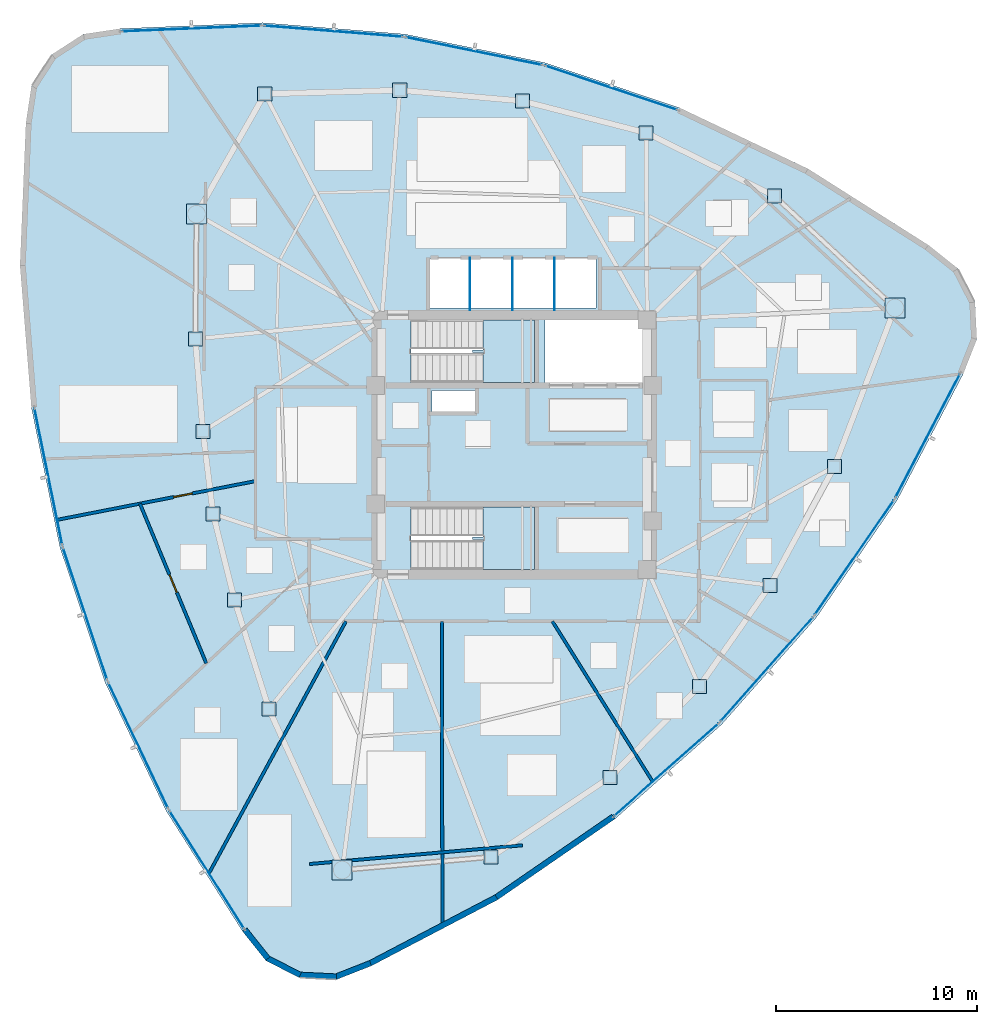
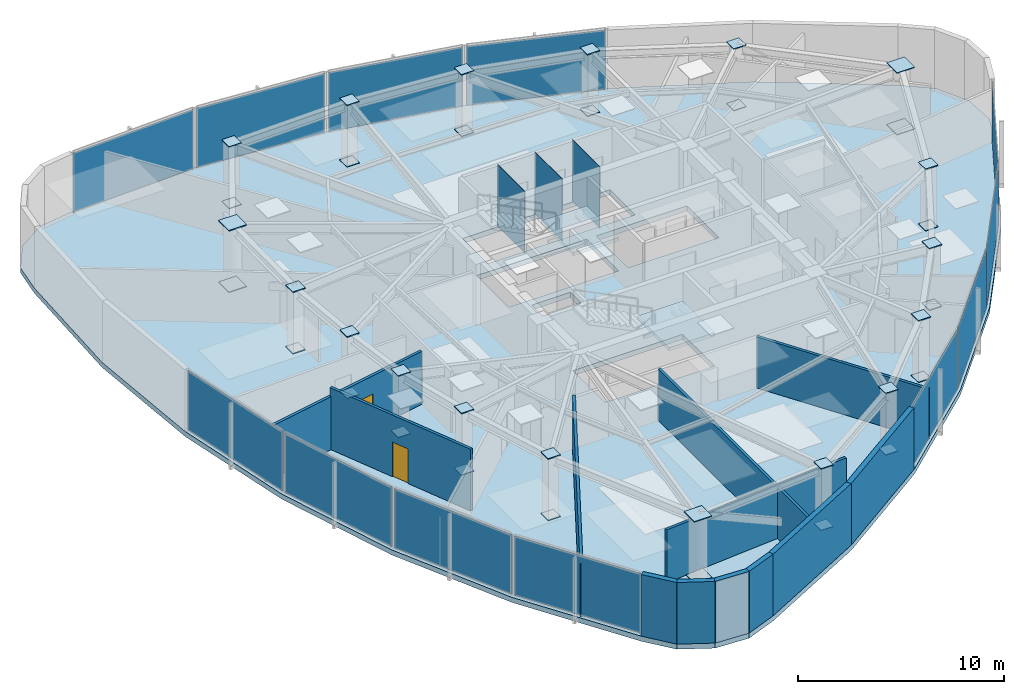
# One storey, part 9 of 15: 51 plates, 12 walls, 3 slabs, 2 doors, 2 openings, 14 elements without a shape of their own.
"""IFC4 building model written with IfcOpenShell, lengths in metres."""

from ifc_helpers import new_model, si_unit, direction, frame, frame_2d, origin, origin_2d, place, context, subcontext, project, spatial, polyline, rectangle, outline, extrude, source, transform, mapped, material, layer, layer_set, type_object, type_shapes, element, fill, aggregate, save


model = new_model("IFC4")

# Units and contexts
model_context = context("Model", 3, precision=1e-05, world=origin(), true_north=direction((0.0, 1.0)))
body_context = subcontext(model_context, "Body", "Model", "MODEL_VIEW")
ifc_project = project(units=[si_unit("LENGTHUNIT", "METRE"), si_unit("AREAUNIT", "SQUARE_METRE"), si_unit("VOLUMEUNIT", "CUBIC_METRE"), si_unit("PLANEANGLEUNIT", "RADIAN"), si_unit("MASSUNIT", "GRAM", prefix="KILO")], contexts=[model_context])

# Site, building, storey
site_placement = place(None, origin())
site = spatial("IfcSite", under=ifc_project, at=site_placement, CompositionType="ELEMENT")
building_placement = place(site_placement, origin())
building = spatial("IfcBuilding", under=site, at=building_placement, Name="Tavelor Broadcast Tower", CompositionType="ELEMENT")
storey_placement = place(building_placement, frame((0.0, 0.0, 230.050048828125)))
storey = spatial("IfcBuildingStorey", under=building, at=storey_placement, Name="L54", CompositionType="ELEMENT", Elevation=230.050048828125)

# Stair, slab
ifc_material_1 = material(Name="Concrete C40/50", Category="concrete")
stair_type = type_object("IfcStairType", Name="Reinforced Concrete Protected Dogleg Stair 1450 mm", PredefinedType="HALF_TURN_STAIR", material=ifc_material_1)
stair_1_placement = place(storey_placement, origin())
stair_1 = element("IfcStair", 1, at=stair_1_placement, inside=storey, type_object=stair_type, Name="L54 Protected Core Exit Stair ST1", PredefinedType="HALF_TURN_STAIR")
ifc_layer_1 = layer(ifc_material_1, 0.199951171875)
ifc_layer_set_1 = layer_set([ifc_layer_1], Name="Concrete C40/50")
slab_type_1 = type_object("IfcSlabType", Name="Reinforced Concrete Stair Half-Landing Slab 200 mm", PredefinedType="LANDING", material=ifc_layer_set_1)
slab_1_placement = place(storey_placement, frame((0.0, 0.0, 1.77490234375)))
slab_1 = element("IfcSlab", 2, at=slab_1_placement, type_object=slab_type_1, Name="ST1 landing 1", PredefinedType="LANDING", context=body_context, shape_type="SweptSolid", body=[
    extrude(outline(polyline([(48.445068359375, 49.590087890625), (48.445068359375, 48.094970703125), (51.0048828125, 48.094970703125), (51.0048828125, 51.205078125), (48.445068359375, 51.205078125), (48.445068359375, 49.7099609375), (47.905029296875, 49.7099609375), (47.905029296875, 49.590087890625), (48.445068359375, 49.590087890625)])), origin(), (0.0, 0.0, 1.0), 0.199951171875),
])
aggregate(stair_1, [slab_1])

stair_2_placement = place(storey_placement, origin())
stair_2 = element("IfcStair", 3, at=stair_2_placement, inside=storey, type_object=stair_type, Name="L54 Protected Core Exit Stair ST2", PredefinedType="HALF_TURN_STAIR")
slab_2_placement = place(storey_placement, frame((0.0, 0.0, 1.77490234375)))
slab_2 = element("IfcSlab", 4, at=slab_2_placement, type_object=slab_type_1, Name="ST2 landing 1", PredefinedType="LANDING", context=body_context, shape_type="SweptSolid", body=[
    extrude(outline(polyline([(48.445068359375, 40.2900390625), (48.445068359375, 38.794921875), (51.0048828125, 38.794921875), (51.0048828125, 41.905029296875), (48.445068359375, 41.905029296875), (48.445068359375, 40.409912109375), (47.905029296875, 40.409912109375), (47.905029296875, 40.2900390625), (48.445068359375, 40.2900390625)])), origin(), (0.0, 0.0, 1.0), 0.199951171875),
])
aggregate(stair_2, [slab_2])

# Slab
ifc_layer_2 = layer(ifc_material_1, 0.300048828125)
ifc_layer_set_2 = layer_set([ifc_layer_2], Name="Concrete C40/50")
slab_type_2 = type_object("IfcSlabType", Name="Tower Composite Floor Slab 300 mm", PredefinedType="FLOOR", material=ifc_layer_set_2)
slab_3_placement = place(storey_placement, frame((0.0, 0.0, -0.300048828125)))
element("IfcSlab", 5, at=slab_3_placement, inside=storey, type_object=slab_type_2, Name="L54 Structural Floor Slab", PredefinedType="FLOOR", context=body_context, shape_type="SweptSolid", body=[
    extrude(outline(polyline([(30.40673828125, 65.68408203125), (28.566162109375, 65.4072265625), (27.00244140625, 64.397705078125), (25.992919921875, 62.833740234375), (25.716064453125, 60.9931640625), (25.422119140625, 53.914306640625), (25.9873046875, 46.851806640625), (27.40283203125, 39.90966796875), (29.64794921875, 33.18994140625), (32.68994140625, 26.791015625), (36.483642578125, 20.8076171875), (37.643798828125, 19.351806640625), (39.300048828125, 18.50244140625), (41.1591796875, 18.409912109375), (42.8916015625, 19.090576171875), (49.1689453125, 22.37548828125), (55.002685546875, 26.39599609375), (60.306884765625, 31.093017578125), (65.00390625, 36.3974609375), (69.0244140625, 42.231201171875), (72.309326171875, 48.508544921875), (72.989990234375, 50.240966796875), (72.897705078125, 52.10009765625), (72.048095703125, 53.75634765625), (70.592529296875, 54.916259765625), (64.60888671875, 58.710205078125), (58.210205078125, 61.751953125), (51.490234375, 63.997314453125), (44.548095703125, 65.41259765625), (37.485595703125, 65.977783203125), (30.40673828125, 65.68408203125)]), holes=[polyline([(50.99609375, 41.89599609375), (50.99609375, 38.803955078125), (44.85400390625, 38.803955078125), (44.85400390625, 41.89599609375), (50.99609375, 41.89599609375)]), polyline([(48.050048828125, 47.699951171875), (48.050048828125, 46.64990234375), (45.89990234375, 46.64990234375), (45.89990234375, 47.699951171875), (48.050048828125, 47.699951171875)]), polyline([(50.99609375, 51.196044921875), (50.99609375, 48.10400390625), (44.85400390625, 48.10400390625), (44.85400390625, 51.196044921875), (50.99609375, 51.196044921875)]), polyline([(56.60009765625, 48.10009765625), (51.52001953125, 48.10009765625), (51.52001953125, 51.199951171875), (56.60009765625, 51.199951171875), (56.60009765625, 48.10009765625)]), polyline([(54.050048828125, 51.800048828125), (45.800048828125, 51.800048828125), (45.800048828125, 54.25), (54.050048828125, 54.25), (54.050048828125, 51.800048828125)])]), origin(), (0.0, 0.0, 1.0), 0.300048828125),
])

# Plates
ifc_material_2 = material(Name="Steel S460", Category="steel")
ifc_layer_3 = layer(ifc_material_2, 0.050048828125)
ifc_layer_set_3 = layer_set([ifc_layer_3], Name="Steel S460")
plate_type_1 = type_object("IfcPlateType", Name="Tube Hollow-End Cap Plate KN05 700x700x50", PredefinedType="USERDEFINED", material=ifc_layer_set_3)
shared_shape_1 = source(origin(), body_context, "Body", "SweptSolid", [
    extrude(rectangle(XDim=0.699951171875, YDim=0.699951171875, at=origin_2d()), origin(), (0.0, 0.0, 1.0), 0.054931640625),
])
for number, where, z_axis, x_axis, name in (
    (6, (34.13720703125, 50.255859375, -0.02734375), (0.0, 0.0, 1.0), (1.0, 0.0, 0.0), "L54 Hollow End Cap Plate KN05 #1581"),
    (7, (34.13720703125, 50.255859375, 3.62255859375), (0.0, 0.0, 1.0), (1.0, 0.0, 0.0), "L54 Hollow End Cap Plate KN05 #1582"),
    (8, (34.513671875, 45.66455078125, -0.02734375), (0.0, 0.0, 1.0), (1.0, 0.0, 0.0), "L54 Hollow End Cap Plate KN05 #1583"),
    (9, (34.513671875, 45.66455078125, 3.62255859375), (0.0, 0.0, 1.0), (1.0, 0.0, 0.0), "L54 Hollow End Cap Plate KN05 #1584"),
    (10, (35.018798828125, 41.56396484375, -0.02734375), (0.0, 0.0, 1.0), (1.0, 0.0, 0.0), "L54 Hollow End Cap Plate KN05 #1585"),
    (11, (35.018798828125, 41.56396484375, 3.62255859375), (0.0, 0.0, 1.0), (1.0, 0.0, 0.0), "L54 Hollow End Cap Plate KN05 #1586"),
    (12, (36.08349609375, 37.2822265625, -0.02734375), (0.0, 0.0, 1.0), (1.0, 0.0, 0.0), "L54 Hollow End Cap Plate KN05 #1587"),
    (13, (36.08349609375, 37.2822265625, 3.62255859375), (0.0, 0.0, 1.0), (1.0, 0.0, 0.0), "L54 Hollow End Cap Plate KN05 #1588"),
    (14, (37.797119140625, 31.853271484375, -0.02734375), (0.0, 0.0, 1.0), (1.0, 0.0, 0.0), "L54 Hollow End Cap Plate KN05 #1589"),
    (15, (37.797119140625, 31.853271484375, 3.62255859375), (0.0, 0.0, 1.0), (1.0, 0.0, 0.0), "L54 Hollow End Cap Plate KN05 #1590"),
    (16, (48.843994140625, 24.5048828125, -0.02734375), (0.0, 0.0, 1.0), (1.0, 0.0, 0.0), "L54 Hollow End Cap Plate KN05 #1593"),
    (17, (48.843994140625, 24.5048828125, 3.62255859375), (0.0, 0.0, 1.0), (1.0, 0.0, 0.0), "L54 Hollow End Cap Plate KN05 #1594"),
    (18, (54.754150390625, 28.461669921875, -0.02734375), (0.0, 0.0, 1.0), (1.0, 0.0, 0.0), "L54 Hollow End Cap Plate KN05 #1595"),
    (19, (54.754150390625, 28.461669921875, 3.62255859375), (0.0, 0.0, 1.0), (1.0, 0.0, 0.0), "L54 Hollow End Cap Plate KN05 #1596"),
    (20, (59.1923828125, 32.987060546875, -0.02734375), (0.0, 0.0, 1.0), (1.0, 0.0, 0.0), "L54 Hollow End Cap Plate KN05 #1597"),
    (21, (59.1923828125, 32.987060546875, 3.62255859375), (0.0, 0.0, 1.0), (1.0, 0.0, 0.0), "L54 Hollow End Cap Plate KN05 #1598"),
    (22, (62.7109375, 38.009033203125, -0.02734375), (0.0, 0.0, 1.0), (1.0, 0.0, 0.0), "L54 Hollow End Cap Plate KN05 #1599"),
    (23, (62.7109375, 38.009033203125, 3.62255859375), (0.0, 0.0, 1.0), (1.0, 0.0, 0.0), "L54 Hollow End Cap Plate KN05 #1600"),
    (24, (65.9072265625, 43.909423828125, -0.02734375), (0.0, 0.0, 1.0), (1.0, 0.0, 0.0), "L54 Hollow End Cap Plate KN05 #1601"),
    (25, (65.9072265625, 43.909423828125, 3.62255859375), (0.0, 0.0, 1.0), (1.0, 0.0, 0.0), "L54 Hollow End Cap Plate KN05 #1602"),
    (26, (62.92724609375, 57.364013671875, -0.02734375), (0.0, 0.0, 1.0), (1.0, 0.0, 0.0), "L54 Hollow End Cap Plate KN05 #1605"),
    (27, (62.92724609375, 57.364013671875, 3.62255859375), (0.0, 0.0, 1.0), (1.0, 0.0, 0.0), "L54 Hollow End Cap Plate KN05 #1606"),
    (28, (56.545654296875, 60.504150390625, -0.02734375), (0.0, 0.0, 1.0), (1.0, 0.0, 0.0), "L54 Hollow End Cap Plate KN05 #1607"),
    (29, (56.545654296875, 60.504150390625, 3.62255859375), (0.0, 0.0, 1.0), (1.0, 0.0, 0.0), "L54 Hollow End Cap Plate KN05 #1608"),
    (30, (50.4072265625, 62.0849609375, -0.02734375), (0.0, 0.0, 1.0), (1.0, 0.0, 0.0), "L54 Hollow End Cap Plate KN05 #1609"),
    (31, (50.4072265625, 62.0849609375, 3.62255859375), (0.0, 0.0, 1.0), (1.0, 0.0, 0.0), "L54 Hollow End Cap Plate KN05 #1610"),
    (32, (44.298828125, 62.621337890625, -0.02734375), (0.0, 0.0, 1.0), (1.0, 0.0, 0.0), "L54 Hollow End Cap Plate KN05 #1611"),
    (33, (44.298828125, 62.621337890625, 3.62255859375), (0.0, 0.0, 1.0), (1.0, 0.0, 0.0), "L54 Hollow End Cap Plate KN05 #1612"),
    (34, (37.5908203125, 62.439208984375, -0.02734375), (0.0, 0.0, 1.0), (1.0, 0.0, 0.0), "L54 Hollow End Cap Plate KN05 #1613"),
    (35, (37.5908203125, 62.439208984375, 3.62255859375), (0.0, 0.0, 1.0), (1.0, 0.0, 0.0), "L54 Hollow End Cap Plate KN05 #1614"),
):
    element("IfcPlate", number, at=place(storey_placement, frame(where, z_axis=z_axis, x_axis=x_axis)), inside=storey, type_object=plate_type_1, Name=name, ObjectType="CAP PLATE", PredefinedType="USERDEFINED", context=body_context, shape_type="MappedRepresentation", body=[
        mapped(shared_shape_1, transform((0.0, 0.0, 0.0), scale=1.0)),
    ])
shared_shape_2 = source(origin(), body_context, "Body", "SweptSolid", [
    extrude(rectangle(XDim=0.993896484375, YDim=0.993896484375, at=origin_2d()), origin(), (0.0, 0.0, 1.0), 0.054931640625),
])
type_shapes(plate_type_1, [shared_shape_1, shared_shape_2])
for number, where, z_axis, x_axis, name in (
    (36, (34.1962890625, 56.4599609375, -0.02734375), (0.0, 0.0, 1.0), (1.0, 0.0, 0.0), "L54 Hollow End Cap Plate KN05 #1579"),
    (37, (34.1962890625, 56.4599609375, 3.62255859375), (0.0, 0.0, 1.0), (1.0, 0.0, 0.0), "L54 Hollow End Cap Plate KN05 #1580"),
    (38, (41.440185546875, 23.853759765625, -0.02734375), (0.0, 0.0, 1.0), (1.0, 0.0, 0.0), "L54 Hollow End Cap Plate KN05 #1591"),
    (39, (41.440185546875, 23.853759765625, 3.62255859375), (0.0, 0.0, 1.0), (1.0, 0.0, 0.0), "L54 Hollow End Cap Plate KN05 #1592"),
    (40, (68.919677734375, 51.799072265625, -0.02734375), (0.0, 0.0, 1.0), (1.0, 0.0, 0.0), "L54 Hollow End Cap Plate KN05 #1603"),
    (41, (68.919677734375, 51.799072265625, 3.62255859375), (0.0, 0.0, 1.0), (1.0, 0.0, 0.0), "L54 Hollow End Cap Plate KN05 #1604"),
):
    element("IfcPlate", number, at=place(storey_placement, frame(where, z_axis=z_axis, x_axis=x_axis)), inside=storey, type_object=plate_type_1, Name=name, ObjectType="CAP PLATE", PredefinedType="USERDEFINED", context=body_context, shape_type="MappedRepresentation", body=[
        mapped(shared_shape_2, transform((0.0, 0.0, 0.0), scale=1.0)),
    ])
ifc_material_3 = material(Name="Steel S355", Category="steel")
ifc_layer_4 = layer(ifc_material_3, 0.011962890625)
ifc_layer_set_4 = layer_set([ifc_layer_4], Name="Steel S355")
plate_type_2 = type_object("IfcPlateType", Name="Hoistway Steel Separator Screen 12 mm", PredefinedType="SHEET", material=ifc_layer_set_4)
shared_shape_3 = source(origin(), body_context, "Body", "SweptSolid", [
    extrude(rectangle(XDim=0.02001953125, YDim=2.6201171875, at=origin_2d()), origin(), (0.0, 0.0, 1.0), 3.64990234375),
])
type_shapes(plate_type_2, [shared_shape_3])
for number, where, z_axis, x_axis, name in (
    (42, (47.800048828125, 52.989990234375, 0.0), (0.0, 0.0, 1.0), (1.0, 0.0, 0.0), "L54 High-Rise Hoistway Separator Screen 1"),
    (43, (49.89990234375, 52.989990234375, 0.0), (0.0, 0.0, 1.0), (1.0, 0.0, 0.0), "L54 High-Rise Hoistway Separator Screen 2"),
    (44, (52.0, 52.989990234375, 0.0), (0.0, 0.0, 1.0), (1.0, 0.0, 0.0), "L54 High-Rise Hoistway Separator Screen 3"),
):
    element("IfcPlate", number, at=place(storey_placement, frame(where, z_axis=z_axis, x_axis=x_axis)), inside=storey, type_object=plate_type_2, Name=name, PredefinedType="SHEET", context=body_context, shape_type="MappedRepresentation", body=[
        mapped(shared_shape_3, transform((0.0, 0.0, 0.0), scale=1.0)),
    ])

# Curtain wall, plate
ifc_material_4 = material(Name="Architectural Anodized Aluminium", Category="aluminium")
ifc_layer_5 = layer(ifc_material_4, 0.199951171875)
ifc_layer_set_5 = layer_set([ifc_layer_5], Name="Architectural Anodized Aluminium")
curtain_wall_type = type_object("IfcCurtainWallType", Name="Tower High-Zone Triple-Glazed Curtain Wall CW04", PredefinedType="NOTDEFINED", material=ifc_layer_set_5)
curtain_wall_1_placement = place(storey_placement, origin())
curtain_wall_1 = element("IfcCurtainWall", 45, at=curtain_wall_1_placement, inside=storey, type_object=curtain_wall_type, Name="L54 Curtain Wall CW04 Run 577", PredefinedType="NOTDEFINED")
ifc_material_5 = material(Name="High-Altitude Triple Glazing 36 mm", Category="glass")
ifc_layer_6 = layer(ifc_material_5, 0.035888671875)
ifc_layer_set_6 = layer_set([ifc_layer_6], Name="High-Altitude Triple Glazing 36 mm")
plate_type_3 = type_object("IfcPlateType", Name="CW04 Insulated Vision Glazing Panel 36 mm", PredefinedType="CURTAIN_PANEL", material=ifc_layer_set_6)
shared_shape_4 = source(origin(), body_context, "Body", "SweptSolid", [
    extrude(rectangle(XDim=6.9130859375, YDim=0.035888671875, at=origin_2d()), origin(), (0.0, 0.0, 1.0), 3.510009765625),
])
plate_1_placement = place(storey_placement, frame((26.830810546875, 43.416015625, 0.06982421875), z_axis=(0.0, 0.0, 1.0), x_axis=(0.199787504378, -0.979839248599, 0.0)))
plate_1 = element("IfcPlate", 46, at=plate_1_placement, type_object=plate_type_3, Name="CW04 panel 1.1", PredefinedType="CURTAIN_PANEL", context=body_context, shape_type="MappedRepresentation", body=[
    mapped(shared_shape_4, transform((0.0, 0.0, 0.0), scale=1.0)),
])
aggregate(curtain_wall_1, [plate_1])

curtain_wall_2_placement = place(storey_placement, origin())
curtain_wall_2 = element("IfcCurtainWall", 47, at=curtain_wall_2_placement, inside=storey, type_object=curtain_wall_type, Name="L54 Curtain Wall CW04 Run 585", PredefinedType="NOTDEFINED")
plate_2_placement = place(storey_placement, frame((54.81298828125, 62.739501953125, 0.06982421875), z_axis=(0.0, 0.0, 1.0), x_axis=(-0.948459042473, 0.316899739274, 0.0)))
plate_2 = element("IfcPlate", 48, at=plate_2_placement, type_object=plate_type_3, Name="CW04 panel 1.1", PredefinedType="CURTAIN_PANEL", context=body_context, shape_type="MappedRepresentation", body=[
    mapped(shared_shape_4, transform((0.0, 0.0, 0.0), scale=1.0)),
])
aggregate(curtain_wall_2, [plate_2])

curtain_wall_3_placement = place(storey_placement, origin())
curtain_wall_3 = element("IfcCurtainWall", 49, at=curtain_wall_3_placement, inside=storey, type_object=curtain_wall_type, Name="L54 Curtain Wall CW04 Run 578", PredefinedType="NOTDEFINED")
shared_shape_5 = source(origin(), body_context, "Body", "SweptSolid", [
    extrude(rectangle(XDim=6.89794921875, YDim=0.035888671875, at=origin_2d()), origin(), (0.0, 0.0, 1.0), 3.510009765625),
])
plate_3_placement = place(storey_placement, frame((28.658203125, 36.59423828125, 0.06982421875), z_axis=(0.0, 0.0, 1.0), x_axis=(0.316896917705, -0.948459985212, 0.0)))
plate_3 = element("IfcPlate", 50, at=plate_3_placement, type_object=plate_type_3, Name="CW04 panel 1.1", PredefinedType="CURTAIN_PANEL", context=body_context, shape_type="MappedRepresentation", body=[
    mapped(shared_shape_5, transform((0.0, 0.0, 0.0), scale=1.0)),
])
aggregate(curtain_wall_3, [plate_3])

curtain_wall_4_placement = place(storey_placement, origin())
curtain_wall_4 = element("IfcCurtainWall", 51, at=curtain_wall_4_placement, inside=storey, type_object=curtain_wall_type, Name="L54 Curtain Wall CW04 Run 582", PredefinedType="NOTDEFINED")
plate_4_placement = place(storey_placement, frame((62.550537109375, 33.838134765625, 0.06982421875), z_axis=(0.0, 0.0, 1.0), x_axis=(0.662946290421, 0.748666959346, 0.0)))
plate_4 = element("IfcPlate", 52, at=plate_4_placement, type_object=plate_type_3, Name="CW04 panel 1.1", PredefinedType="CURTAIN_PANEL", context=body_context, shape_type="MappedRepresentation", body=[
    mapped(shared_shape_5, transform((0.0, 0.0, 0.0), scale=1.0)),
])
aggregate(curtain_wall_4, [plate_4])

curtain_wall_5_placement = place(storey_placement, origin())
curtain_wall_5 = element("IfcCurtainWall", 53, at=curtain_wall_5_placement, inside=storey, type_object=curtain_wall_type, Name="L54 Curtain Wall CW04 Run 583", PredefinedType="NOTDEFINED")
plate_5_placement = place(storey_placement, frame((66.89892578125, 39.393798828125, 0.06982421875), z_axis=(0.0, 0.0, 1.0), x_axis=(0.56746796406, 0.82339547592, 0.0)))
plate_5 = element("IfcPlate", 54, at=plate_5_placement, type_object=plate_type_3, Name="CW04 panel 1.1", PredefinedType="CURTAIN_PANEL", context=body_context, shape_type="MappedRepresentation", body=[
    mapped(shared_shape_5, transform((0.0, 0.0, 0.0), scale=1.0)),
])
aggregate(curtain_wall_5, [plate_5])

curtain_wall_6_placement = place(storey_placement, origin())
curtain_wall_6 = element("IfcCurtainWall", 55, at=curtain_wall_6_placement, inside=storey, type_object=curtain_wall_type, Name="L54 Curtain Wall CW04 Run 586", PredefinedType="NOTDEFINED")
plate_6_placement = place(storey_placement, frame((47.9912109375, 64.56787109375, 0.06982421875), z_axis=(0.0, 0.0, 1.0), x_axis=(-0.979839323582, 0.199787136629, 0.0)))
plate_6 = element("IfcPlate", 56, at=plate_6_placement, type_object=plate_type_3, Name="CW04 panel 1.1", PredefinedType="CURTAIN_PANEL", context=body_context, shape_type="MappedRepresentation", body=[
    mapped(shared_shape_5, transform((0.0, 0.0, 0.0), scale=1.0)),
])
aggregate(curtain_wall_6, [plate_6])

curtain_wall_7_placement = place(storey_placement, origin())
curtain_wall_7 = element("IfcCurtainWall", 57, at=curtain_wall_7_placement, inside=storey, type_object=curtain_wall_type, Name="L54 Curtain Wall CW04 Run 587", PredefinedType="NOTDEFINED")
plate_7_placement = place(storey_placement, frame((41.005859375, 65.5556640625, 0.06982421875), z_axis=(0.0, 0.0, 1.0), x_axis=(-0.996813471129, 0.079767811658, 0.0)))
plate_7 = element("IfcPlate", 58, at=plate_7_placement, type_object=plate_type_3, Name="CW04 panel 1.1", PredefinedType="CURTAIN_PANEL", context=body_context, shape_type="MappedRepresentation", body=[
    mapped(shared_shape_5, transform((0.0, 0.0, 0.0), scale=1.0)),
])
aggregate(curtain_wall_7, [plate_7])

curtain_wall_8_placement = place(storey_placement, origin())
curtain_wall_8 = element("IfcCurtainWall", 59, at=curtain_wall_8_placement, inside=storey, type_object=curtain_wall_type, Name="L54 Curtain Wall CW04 Run 579", PredefinedType="NOTDEFINED")
shared_shape_6 = source(origin(), body_context, "Body", "SweptSolid", [
    extrude(rectangle(XDim=6.898193359375, YDim=0.035888671875, at=origin_2d()), origin(), (0.0, 0.0, 1.0), 3.510009765625),
])
plate_8_placement = place(storey_placement, frame((31.29541015625, 30.050537109375, 0.06982421875), z_axis=(0.0, 0.0, 1.0), x_axis=(0.429336180649, -0.90314475251, 0.0)))
plate_8 = element("IfcPlate", 60, at=plate_8_placement, type_object=plate_type_3, Name="CW04 panel 1.1", PredefinedType="CURTAIN_PANEL", context=body_context, shape_type="MappedRepresentation", body=[
    mapped(shared_shape_6, transform((0.0, 0.0, 0.0), scale=1.0)),
])
aggregate(curtain_wall_8, [plate_8])

curtain_wall_9_placement = place(storey_placement, origin())
curtain_wall_9 = element("IfcCurtainWall", 61, at=curtain_wall_9_placement, inside=storey, type_object=curtain_wall_type, Name="L54 Curtain Wall CW04 Run 580", PredefinedType="NOTDEFINED")
shared_shape_7 = source(origin(), body_context, "Body", "SweptSolid", [
    extrude(rectangle(XDim=6.913818359375, YDim=0.035888671875, at=origin_2d()), origin(), (0.0, 0.0, 1.0), 3.510009765625),
])
plate_9_placement = place(storey_placement, frame((34.709228515625, 23.867431640625, 0.06982421875), z_axis=(0.0, 0.0, 1.0), x_axis=(0.535474948409, -0.844551111317, 0.0)))
plate_9 = element("IfcPlate", 62, at=plate_9_placement, type_object=plate_type_3, Name="CW04 panel 1.1", PredefinedType="CURTAIN_PANEL", context=body_context, shape_type="MappedRepresentation", body=[
    mapped(shared_shape_7, transform((0.0, 0.0, 0.0), scale=1.0)),
])
aggregate(curtain_wall_9, [plate_9])

curtain_wall_10_placement = place(storey_placement, origin())
curtain_wall_10 = element("IfcCurtainWall", 63, at=curtain_wall_10_placement, inside=storey, type_object=curtain_wall_type, Name="L54 Curtain Wall CW04 Run 584", PredefinedType="NOTDEFINED")
plate_10_placement = place(storey_placement, frame((70.546630859375, 45.441650390625, 0.06982421875), z_axis=(0.0, 0.0, 1.0), x_axis=(0.463655749938, 0.886015431891, 0.0)))
plate_10 = element("IfcPlate", 64, at=plate_10_placement, type_object=plate_type_3, Name="CW04 panel 1.1", PredefinedType="CURTAIN_PANEL", context=body_context, shape_type="MappedRepresentation", body=[
    mapped(shared_shape_7, transform((0.0, 0.0, 0.0), scale=1.0)),
])
aggregate(curtain_wall_10, [plate_10])

curtain_wall_11_placement = place(storey_placement, origin())
curtain_wall_11 = element("IfcCurtainWall", 65, at=curtain_wall_11_placement, inside=storey, type_object=curtain_wall_type, Name="L54 Curtain Wall CW04 Run 588", PredefinedType="NOTDEFINED")
plate_11_placement = place(storey_placement, frame((33.944091796875, 65.690673828125, 0.06982421875), z_axis=(0.0, 0.0, 1.0), x_axis=(-0.999139889975, -0.041466616218, 0.0)))
plate_11 = element("IfcPlate", 66, at=plate_11_placement, type_object=plate_type_3, Name="CW04 panel 1.1", PredefinedType="CURTAIN_PANEL", context=body_context, shape_type="MappedRepresentation", body=[
    mapped(shared_shape_7, transform((0.0, 0.0, 0.0), scale=1.0)),
])
aggregate(curtain_wall_11, [plate_11])

curtain_wall_12_placement = place(storey_placement, origin())
curtain_wall_12 = element("IfcCurtainWall", 67, at=curtain_wall_12_placement, inside=storey, type_object=curtain_wall_type, Name="L54 Curtain Wall CW04 Run 581", PredefinedType="NOTDEFINED")
shared_shape_8 = source(origin(), body_context, "Body", "SweptSolid", [
    extrude(rectangle(XDim=6.912841796875, YDim=0.035888671875, at=origin_2d()), origin(), (0.0, 0.0, 1.0), 3.510009765625),
])
type_shapes(plate_type_3, [shared_shape_4, shared_shape_5, shared_shape_6, shared_shape_7, shared_shape_8])
plate_12_placement = place(storey_placement, frame((57.556396484375, 28.844482421875, 0.06982421875), z_axis=(0.0, 0.0, 1.0), x_axis=(0.748668199667, 0.662944889722, 0.0)))
plate_12 = element("IfcPlate", 68, at=plate_12_placement, type_object=plate_type_3, Name="CW04 panel 1.1", PredefinedType="CURTAIN_PANEL", context=body_context, shape_type="MappedRepresentation", body=[
    mapped(shared_shape_8, transform((0.0, 0.0, 0.0), scale=1.0)),
])
aggregate(curtain_wall_12, [plate_12])

# Walls
ifc_material_6 = material(Name="Precast Concrete C40/50", Category="concrete")
ifc_layer_7 = layer(ifc_material_6, 0.280029296875)
ifc_layer_set_7 = layer_set([ifc_layer_7], Name="Precast Concrete C40/50")
wall_type_1 = type_object("IfcWallType", Name="Insulated Precast Terracotta Facade Wall 280 mm", PredefinedType="STANDARD", material=ifc_layer_set_7)
wall_1_placement = place(storey_placement, frame((36.595458984375, 20.89208984375, 0.0), z_axis=(0.0, 0.0, 1.0), x_axis=(0.623207503323, -0.782056524685, 0.0)))
element("IfcWall", 69, at=wall_1_placement, inside=storey, type_object=wall_type_1, Name="L54 Rounded Corner Structural Cladding Pier 11", PredefinedType="STANDARD", context=body_context, shape_type="SweptSolid", body=[
    extrude(rectangle(XDim=1.8427734375, YDim=0.280029296875, at=frame_2d((0.92138671875, 0.0))), origin(), (0.0, 0.0, 1.0), 3.64990234375),
])
for number, where, z_axis, x_axis, name in (
    (70, (37.72119140625, 19.469482421875, 0.0), (0.0, 0.0, 1.0), (0.889766093147, -0.456416804562, 0.0), "L54 Rounded Corner Structural Cladding Pier 12"),
    (71, (39.322021484375, 18.6416015625, 0.0), (0.0, 0.0, 1.0), (0.998762624782, -0.049731472306, 0.0), "L54 Rounded Corner Structural Cladding Pier 13"),
):
    element("IfcWall", number, at=place(storey_placement, frame(where, z_axis=z_axis, x_axis=x_axis)), inside=storey, type_object=wall_type_1, Name=name, PredefinedType="STANDARD", context=body_context, shape_type="SweptSolid", body=[
        extrude(rectangle(XDim=1.8310546875, YDim=0.280029296875, at=frame_2d((0.91552734375, 0.0))), origin(), (0.0, 0.0, 1.0), 3.64990234375),
    ])
wall_2_placement = place(storey_placement, frame((41.1220703125, 18.545654296875, 0.0), z_axis=(0.0, 0.0, 1.0), x_axis=(0.930703456465, 0.365774624767, 0.0)))
element("IfcWall", 72, at=wall_2_placement, inside=storey, type_object=wall_type_1, Name="L54 Rounded Corner Structural Cladding Pier 14", PredefinedType="STANDARD", context=body_context, shape_type="SweptSolid", body=[
    extrude(rectangle(XDim=1.853515625, YDim=0.280029296875, at=frame_2d((0.9267578125, 0.0))), origin(), (0.0, 0.0, 1.0), 3.64990234375),
])
wall_3_placement = place(storey_placement, frame((42.820068359375, 19.211181640625, 0.0), z_axis=(0.0, 0.0, 1.0), x_axis=(0.886006492009, 0.463672833059, 0.0)))
element("IfcWall", 73, at=wall_3_placement, inside=storey, type_object=wall_type_1, Name="L54 Rounded Corner Structural Cladding Pier 15", PredefinedType="STANDARD", context=body_context, shape_type="SweptSolid", body=[
    extrude(rectangle(XDim=7.098876953125, YDim=0.280029296875, at=frame_2d((3.54931640625, 0.0))), origin(), (0.0, 0.0, 1.0), 3.64990234375),
])
wall_4_placement = place(storey_placement, frame((49.083984375, 22.4873046875, 0.0), z_axis=(0.0, 0.0, 1.0), x_axis=(0.823408162902, 0.567449554821, 0.0)))
element("IfcWall", 74, at=wall_4_placement, inside=storey, type_object=wall_type_1, Name="L54 Rounded Corner Structural Cladding Pier 16", PredefinedType="STANDARD", context=body_context, shape_type="SweptSolid", body=[
    extrude(rectangle(XDim=7.0869140625, YDim=0.280029296875, at=frame_2d((3.54345703125, 0.0))), origin(), (0.0, 0.0, 1.0), 3.64990234375),
])
ifc_material_7 = material(Name="Gypsum Acoustic Plasterboard 150 mm", Category="gypsum")
ifc_layer_8 = layer(ifc_material_7, 0.14990234375)
ifc_layer_set_8 = layer_set([ifc_layer_8], Name="Gypsum Acoustic Plasterboard 150 mm")
wall_type_2 = type_object("IfcWallType", Name="Interior Acoustic Partition Wall 150 mm", PredefinedType="PARTITIONING", material=ifc_layer_set_8)
wall_5_placement = place(storey_placement, frame((39.807861328125, 24.15185546875, 0.0), z_axis=(0.0, 0.0, 1.0), x_axis=(0.996153584085, 0.087624408208, 0.0)))
element("IfcWall", 75, at=wall_5_placement, inside=storey, type_object=wall_type_2, Name="L54 Corner Tube Brace Furring Wall 2", PredefinedType="PARTITIONING", context=body_context, shape_type="SweptSolid", body=[
    extrude(rectangle(XDim=10.63232421875, YDim=0.14990234375, at=frame_2d((5.316162109375, 0.0))), origin(), (0.0, 0.0, 1.0), 3.135009765625),
])

# Wall, opening, door
wall_6_placement = place(storey_placement, frame((37.080078125, 43.179443359375, 0.0), z_axis=(0.0, 0.0, 1.0), x_axis=(-0.981455674123, -0.191689226957, 0.0)))
wall_6 = element("IfcWall", 76, at=wall_6_placement, inside=storey, type_object=wall_type_2, Name="L54 Radial Compartment Wall 09", PredefinedType="PARTITIONING", context=body_context, shape_type="SweptSolid", body=[
    extrude(rectangle(XDim=10.005615234375, YDim=0.14990234375, at=frame_2d((5.0029296875, 0.0))), origin(), (0.0, 0.0, 1.0), 3.135009765625),
])
opening_1_placement = place(wall_6_placement, frame((3.14990234375, 0.0, 0.0)))
opening_1 = element("IfcOpeningElement", 77, at=opening_1_placement, cuts=wall_6, Name="Opening DR18", PredefinedType="OPENING", context=body_context, shape_type="SweptSolid", body=[
    extrude(rectangle(XDim=0.949951171875, YDim=2.050048828125, at=frame_2d((0.47509765625, 1.02490234375))), frame((0.0, 0.0849609375, 0.0), z_axis=(0.0, -1.0, 0.0), x_axis=(1.0, 0.0, 0.0)), (0.0, 0.0, 1.0), 0.169921875),
])
ifc_material_8 = material(Name="Timber Solid Core Hardwood", Category="wood")
door_type_1 = type_object("IfcDoorType", Name="Corridor Rated Compartment Door 950x2050", OperationType="NOTDEFINED", PredefinedType="DOOR", material=ifc_material_8)
door_1_placement = place(opening_1_placement, origin())
door_1 = element("IfcDoor", 78, at=door_1_placement, inside=storey, type_object=door_type_1, Name="L54 Suite Connecting Door 5", OperationType="SINGLE_SWING_LEFT", OverallHeight=2.050048828125, OverallWidth=0.949951171875, PredefinedType="DOOR", context=body_context, shape_type="SweptSolid", body=[
    extrude(rectangle(XDim=0.949951171875, YDim=2.050048828125, at=frame_2d((0.47509765625, 1.02490234375))), frame((0.0, 0.02490234375, 0.0), z_axis=(0.0, -1.0, 0.0), x_axis=(1.0, 0.0, 0.0)), (0.0, 0.0, 1.0), 0.050048828125),
])
fill(opening_1, door_1)

# Walls
wall_7_placement = place(storey_placement, frame((41.626708984375, 36.219970703125, 0.0), z_axis=(0.0, 0.0, 1.0), x_axis=(-0.47763709518, -0.878557229387, 0.0)))
element("IfcWall", 79, at=wall_7_placement, inside=storey, type_object=wall_type_2, Name="L54 Radial Compartment Wall 11", PredefinedType="PARTITIONING", context=body_context, shape_type="SweptSolid", body=[
    extrude(rectangle(XDim=14.2666015625, YDim=0.14990234375, at=frame_2d((7.13330078125, 0.0))), origin(), (0.0, 0.0, 1.0), 3.135009765625),
])
wall_8_placement = place(storey_placement, frame((46.406005859375, 36.219970703125, 0.0), z_axis=(0.0, 0.0, 1.0), x_axis=(0.000693481109, -0.999999759542, 0.0)))
element("IfcWall", 80, at=wall_8_placement, inside=storey, type_object=wall_type_2, Name="L54 Radial Compartment Wall 12", PredefinedType="PARTITIONING", context=body_context, shape_type="SweptSolid", body=[
    extrude(rectangle(XDim=15.13818359375, YDim=0.14990234375, at=frame_2d((7.569091796875, 0.0))), origin(), (0.0, 0.0, 1.0), 3.02490234375),
])
wall_9_placement = place(storey_placement, frame((51.8896484375, 36.219970703125, 0.0), z_axis=(0.0, 0.0, 1.0), x_axis=(0.530145730437, -0.847906542314, 0.0)))
element("IfcWall", 81, at=wall_9_placement, inside=storey, type_object=wall_type_2, Name="L54 Radial Compartment Wall 13", PredefinedType="PARTITIONING", context=body_context, shape_type="SweptSolid", body=[
    extrude(rectangle(XDim=9.41796875, YDim=0.14990234375, at=frame_2d((4.708984375, 0.0))), origin(), (0.0, 0.0, 1.0), 3.02490234375),
])

# Wall, opening, door
wall_10_placement = place(storey_placement, frame((31.38427734375, 42.06689453125, 0.0), z_axis=(0.0, 0.0, 1.0), x_axis=(0.383853274967, -0.923394099666, 0.0)))
wall_10 = element("IfcWall", 82, at=wall_10_placement, inside=storey, type_object=wall_type_2, Name="L54 Suite Chord Partition Wall 01", PredefinedType="PARTITIONING", context=body_context, shape_type="SweptSolid", body=[
    extrude(rectangle(XDim=8.599609375, YDim=0.14990234375, at=frame_2d((4.2998046875, 0.0))), origin(), (0.0, 0.0, 1.0), 3.64990234375),
])
opening_2_placement = place(wall_10_placement, frame((3.82470703125, 0.0, 0.0)))
opening_2 = element("IfcOpeningElement", 83, at=opening_2_placement, cuts=wall_10, Name="Opening DR23", PredefinedType="OPENING", context=body_context, shape_type="SweptSolid", body=[
    extrude(rectangle(XDim=0.949951171875, YDim=2.050048828125, at=frame_2d((0.47509765625, 1.02490234375))), frame((0.0, 0.0849609375, 0.0), z_axis=(0.0, -1.0, 0.0), x_axis=(1.0, 0.0, 0.0)), (0.0, 0.0, 1.0), 0.169921875),
])
door_type_2 = type_object("IfcDoorType", Name="Editorial Room Acoustic Door 950x2050", OperationType="NOTDEFINED", PredefinedType="DOOR", material=ifc_material_8)
door_2_placement = place(opening_2_placement, origin())
door_2 = element("IfcDoor", 84, at=door_2_placement, inside=storey, type_object=door_type_2, Name="L54 Outer Suite Partition Door 1", OperationType="SINGLE_SWING_LEFT", OverallHeight=2.050048828125, OverallWidth=0.949951171875, PredefinedType="DOOR", context=body_context, shape_type="SweptSolid", body=[
    extrude(rectangle(XDim=0.949951171875, YDim=2.050048828125, at=frame_2d((0.47509765625, 1.02490234375))), frame((0.0, 0.02490234375, 0.0), z_axis=(0.0, -1.0, 0.0), x_axis=(1.0, 0.0, 0.0)), (0.0, 0.0, 1.0), 0.050048828125),
])
fill(opening_2, door_2)

save(model, "model.ifc")
